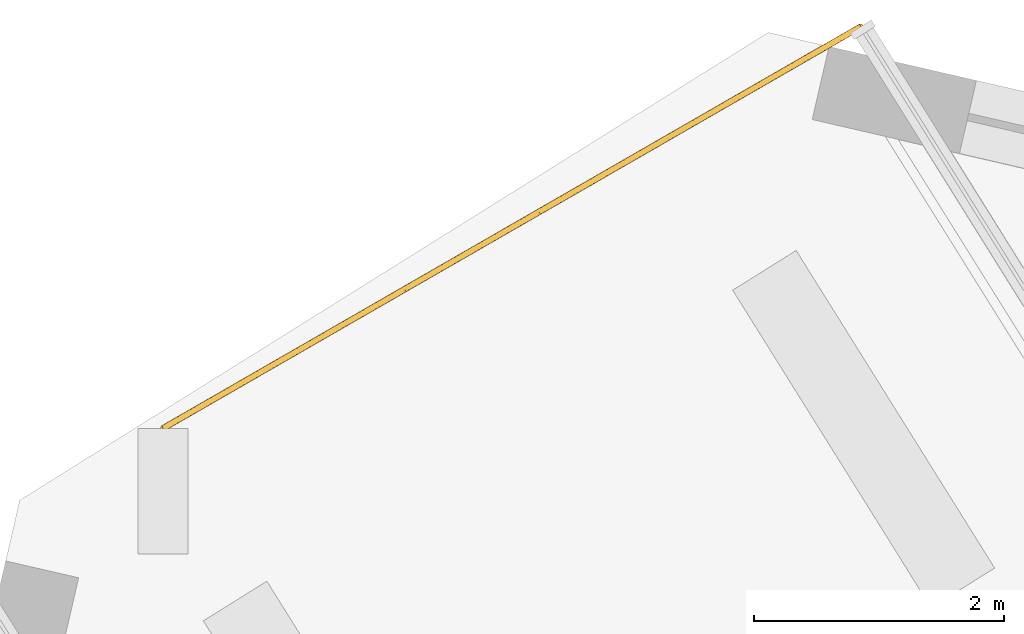
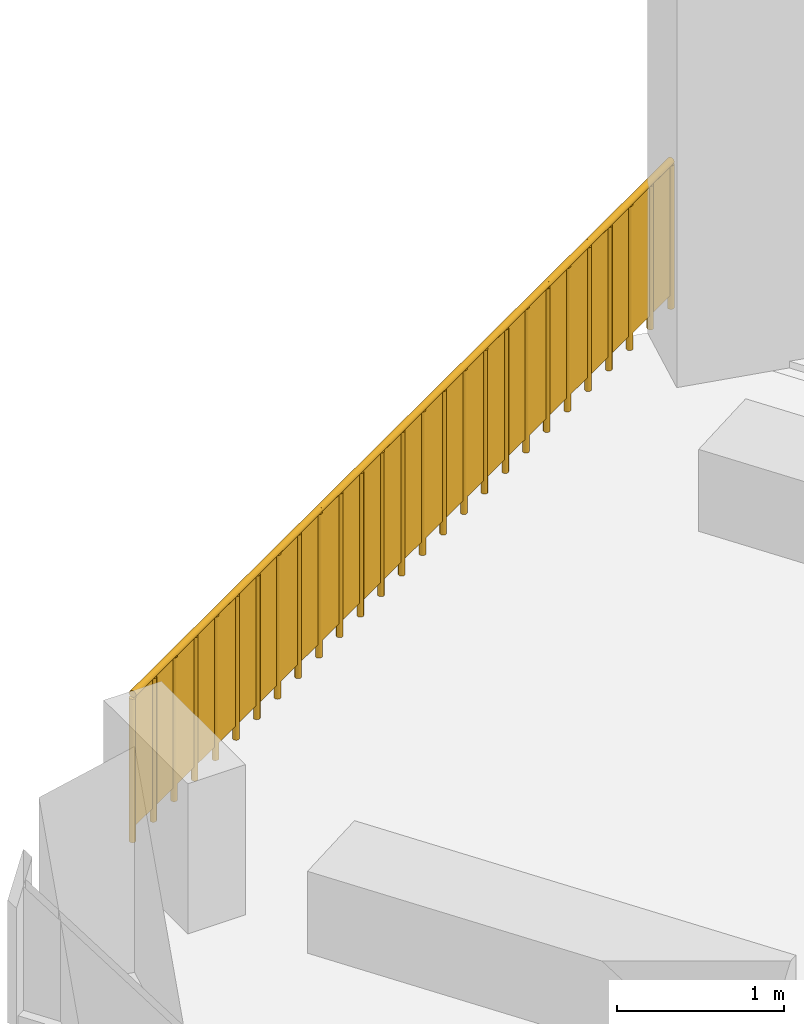
# One storey, part 13 of 14: 1 railing.
"""IFC4 building model written with IfcOpenShell, lengths in metres."""

from ifc_helpers import new_model, si_unit, direction, frame, origin, origin_2d, place, context, subcontext, project, spatial, rectangle, circle, extrude, material, type_object, element, save


model = new_model("IFC4")

# Units and contexts
model_context = context("Model", 3, precision=1e-05, world=origin(), true_north=direction((0.0, 1.0)))
body_context = subcontext(model_context, "Body", "Model", "MODEL_VIEW")
ifc_project = project(units=[si_unit("LENGTHUNIT", "METRE"), si_unit("AREAUNIT", "SQUARE_METRE"), si_unit("VOLUMEUNIT", "CUBIC_METRE"), si_unit("PLANEANGLEUNIT", "RADIAN"), si_unit("MASSUNIT", "GRAM", prefix="KILO")], contexts=[model_context])

# Site, building, storey
site_placement = place(None, origin())
site = spatial("IfcSite", under=ifc_project, at=site_placement, CompositionType="ELEMENT")
building_placement = place(site_placement, origin())
building = spatial("IfcBuilding", under=site, at=building_placement, Name="Dilmun Exchange Tower", CompositionType="ELEMENT")
storey_placement = place(building_placement, frame((0.0, 0.0, 336.5)))
storey = spatial("IfcBuildingStorey", under=building, at=storey_placement, Name="L80", CompositionType="ELEMENT", Elevation=336.5)

# Railing
ifc_material = material(Name="Stainless steel", Category="steel")
railing_type = type_object("IfcRailingType", Name="Terrace guard 1100 stainless steel", PredefinedType="GUARDRAIL", material=ifc_material)
railing_placement = place(storey_placement, frame((-13.946044921875, 34.2265625, 0.0)))
element("IfcRailing", 1, at=railing_placement, inside=storey, type_object=railing_type, Name="Terrace guard 1", PredefinedType="GUARDRAIL", context=body_context, shape_type="SweptSolid", body=[
    extrude(circle(Radius=0.02392578125, at=origin_2d()), frame((0.0, 0.0, 1.076171875), z_axis=(-0.866480498288, -0.499210923445, 0.0), x_axis=(0.499210923445, -0.866480498288, 0.0)), (0.0, 0.0, 1.0), 0.248046875),
    extrude(rectangle(XDim=0.011962890625, YDim=0.951904296875, at=origin_2d()), frame((0.0, 0.0, 0.576171875), z_axis=(-0.866480498288, -0.499210923445, 0.0), x_axis=(0.499210923445, -0.866480498288, 0.0)), (0.0, 0.0, 1.0), 0.248046875),
    extrude(circle(Radius=0.02392578125, at=origin_2d()), frame((-0.21484375, -0.123779296875, 1.076171875), z_axis=(-0.866725567477, -0.498785315222, 0.0), x_axis=(0.498785315222, -0.866725567477, 0.0)), (0.0, 0.0, 1.0), 0.248046875),
    extrude(rectangle(XDim=0.011962890625, YDim=0.951904296875, at=origin_2d()), frame((-0.21484375, -0.123779296875, 0.576171875), z_axis=(-0.866725567477, -0.498785315222, 0.0), x_axis=(0.498785315222, -0.866725567477, 0.0)), (0.0, 0.0, 1.0), 0.248046875),
    extrude(circle(Radius=0.02392578125, at=origin_2d()), frame((-0.429931640625, -0.24755859375, 1.076171875), z_axis=(-0.866480498288, -0.499210923445, 0.0), x_axis=(0.499210923445, -0.866480498288, 0.0)), (0.0, 0.0, 1.0), 0.248046875),
    extrude(rectangle(XDim=0.011962890625, YDim=0.951904296875, at=origin_2d()), frame((-0.429931640625, -0.24755859375, 0.576171875), z_axis=(-0.866480498288, -0.499210923445, 0.0), x_axis=(0.499210923445, -0.866480498288, 0.0)), (0.0, 0.0, 1.0), 0.248046875),
    extrude(circle(Radius=0.02392578125, at=origin_2d()), frame((-0.644775390625, -0.371337890625, 1.076171875), z_axis=(-0.866725567477, -0.498785315222, 0.0), x_axis=(0.498785315222, -0.866725567477, 0.0)), (0.0, 0.0, 1.0), 0.248046875),
    extrude(rectangle(XDim=0.011962890625, YDim=0.951904296875, at=origin_2d()), frame((-0.644775390625, -0.371337890625, 0.576171875), z_axis=(-0.866725567477, -0.498785315222, 0.0), x_axis=(0.498785315222, -0.866725567477, 0.0)), (0.0, 0.0, 1.0), 0.248046875),
    extrude(circle(Radius=0.02392578125, at=origin_2d()), frame((-0.85986328125, -0.4951171875, 1.076171875), z_axis=(-0.866906303058, -0.498471124258, 0.0), x_axis=(0.498471124258, -0.866906303058, 0.0)), (0.0, 0.0, 1.0), 0.247802734375),
    extrude(rectangle(XDim=0.011962890625, YDim=0.951904296875, at=origin_2d()), frame((-0.85986328125, -0.4951171875, 0.576171875), z_axis=(-0.866906303058, -0.498471124258, 0.0), x_axis=(0.498471124258, -0.866906303058, 0.0)), (0.0, 0.0, 1.0), 0.247802734375),
    extrude(circle(Radius=0.02392578125, at=origin_2d()), frame((-1.07470703125, -0.61865234375, 1.076171875), z_axis=(-0.866054481515, -0.499949632511, 0.0), x_axis=(0.499949632511, -0.866054481515, 0.0)), (0.0, 0.0, 1.0), 0.248046875),
    extrude(rectangle(XDim=0.011962890625, YDim=0.951904296875, at=origin_2d()), frame((-1.07470703125, -0.61865234375, 0.576171875), z_axis=(-0.866054481515, -0.499949632511, 0.0), x_axis=(0.499949632511, -0.866054481515, 0.0)), (0.0, 0.0, 1.0), 0.248046875),
    extrude(circle(Radius=0.02392578125, at=origin_2d()), frame((-1.28955078125, -0.74267578125, 1.076171875), z_axis=(-0.867150766199, -0.498045729508, 0.0), x_axis=(0.498045729508, -0.867150766199, 0.0)), (0.0, 0.0, 1.0), 0.248046875),
    extrude(rectangle(XDim=0.011962890625, YDim=0.951904296875, at=origin_2d()), frame((-1.28955078125, -0.74267578125, 0.576171875), z_axis=(-0.867150766199, -0.498045729508, 0.0), x_axis=(0.498045729508, -0.867150766199, 0.0)), (0.0, 0.0, 1.0), 0.248046875),
    extrude(circle(Radius=0.02392578125, at=origin_2d()), frame((-1.504638671875, -0.8662109375, 1.076171875), z_axis=(-0.866480498288, -0.499210923445, 0.0), x_axis=(0.499210923445, -0.866480498288, 0.0)), (0.0, 0.0, 1.0), 0.248046875),
    extrude(rectangle(XDim=0.011962890625, YDim=0.951904296875, at=origin_2d()), frame((-1.504638671875, -0.8662109375, 0.576171875), z_axis=(-0.866480498288, -0.499210923445, 0.0), x_axis=(0.499210923445, -0.866480498288, 0.0)), (0.0, 0.0, 1.0), 0.248046875),
    extrude(circle(Radius=0.02392578125, at=origin_2d()), frame((-1.719482421875, -0.989990234375, 1.076171875), z_axis=(-0.866725567477, -0.498785315222, 0.0), x_axis=(0.498785315222, -0.866725567477, 0.0)), (0.0, 0.0, 1.0), 0.248046875),
    extrude(rectangle(XDim=0.011962890625, YDim=0.951904296875, at=origin_2d()), frame((-1.719482421875, -0.989990234375, 0.576171875), z_axis=(-0.866725567477, -0.498785315222, 0.0), x_axis=(0.498785315222, -0.866725567477, 0.0)), (0.0, 0.0, 1.0), 0.248046875),
    extrude(circle(Radius=0.02392578125, at=origin_2d()), frame((-1.9345703125, -1.11376953125, 1.076171875), z_axis=(-0.866480498288, -0.499210923445, 0.0), x_axis=(0.499210923445, -0.866480498288, 0.0)), (0.0, 0.0, 1.0), 0.248046875),
    extrude(rectangle(XDim=0.011962890625, YDim=0.951904296875, at=origin_2d()), frame((-1.9345703125, -1.11376953125, 0.576171875), z_axis=(-0.866480498288, -0.499210923445, 0.0), x_axis=(0.499210923445, -0.866480498288, 0.0)), (0.0, 0.0, 1.0), 0.248046875),
    extrude(circle(Radius=0.02392578125, at=origin_2d()), frame((-2.1494140625, -1.237548828125, 1.076171875), z_axis=(-0.866480498288, -0.499210923445, 0.0), x_axis=(0.499210923445, -0.866480498288, 0.0)), (0.0, 0.0, 1.0), 0.248046875),
    extrude(rectangle(XDim=0.011962890625, YDim=0.951904296875, at=origin_2d()), frame((-2.1494140625, -1.237548828125, 0.576171875), z_axis=(-0.866480498288, -0.499210923445, 0.0), x_axis=(0.499210923445, -0.866480498288, 0.0)), (0.0, 0.0, 1.0), 0.248046875),
    extrude(circle(Radius=0.02392578125, at=origin_2d()), frame((-2.3642578125, -1.361328125, 1.076171875), z_axis=(-0.866725567477, -0.498785315222, 0.0), x_axis=(0.498785315222, -0.866725567477, 0.0)), (0.0, 0.0, 1.0), 0.248046875),
    extrude(rectangle(XDim=0.011962890625, YDim=0.951904296875, at=origin_2d()), frame((-2.3642578125, -1.361328125, 0.576171875), z_axis=(-0.866725567477, -0.498785315222, 0.0), x_axis=(0.498785315222, -0.866725567477, 0.0)), (0.0, 0.0, 1.0), 0.248046875),
    extrude(circle(Radius=0.02392578125, at=origin_2d()), frame((-2.579345703125, -1.485107421875, 1.076171875), z_axis=(-0.866906303058, -0.498471124258, 0.0), x_axis=(0.498471124258, -0.866906303058, 0.0)), (0.0, 0.0, 1.0), 0.247802734375),
    extrude(rectangle(XDim=0.011962890625, YDim=0.951904296875, at=origin_2d()), frame((-2.579345703125, -1.485107421875, 0.576171875), z_axis=(-0.866906303058, -0.498471124258, 0.0), x_axis=(0.498471124258, -0.866906303058, 0.0)), (0.0, 0.0, 1.0), 0.247802734375),
    extrude(circle(Radius=0.02392578125, at=origin_2d()), frame((-2.794189453125, -1.608642578125, 1.076171875), z_axis=(-0.866054481515, -0.499949632511, 0.0), x_axis=(0.499949632511, -0.866054481515, 0.0)), (0.0, 0.0, 1.0), 0.248046875),
    extrude(rectangle(XDim=0.011962890625, YDim=0.951904296875, at=origin_2d()), frame((-2.794189453125, -1.608642578125, 0.576171875), z_axis=(-0.866054481515, -0.499949632511, 0.0), x_axis=(0.499949632511, -0.866054481515, 0.0)), (0.0, 0.0, 1.0), 0.248046875),
    extrude(circle(Radius=0.02392578125, at=origin_2d()), frame((-3.009033203125, -1.732666015625, 1.076171875), z_axis=(-0.867150766199, -0.498045729508, 0.0), x_axis=(0.498045729508, -0.867150766199, 0.0)), (0.0, 0.0, 1.0), 0.248046875),
    extrude(rectangle(XDim=0.011962890625, YDim=0.951904296875, at=origin_2d()), frame((-3.009033203125, -1.732666015625, 0.576171875), z_axis=(-0.867150766199, -0.498045729508, 0.0), x_axis=(0.498045729508, -0.867150766199, 0.0)), (0.0, 0.0, 1.0), 0.248046875),
    extrude(circle(Radius=0.02392578125, at=origin_2d()), frame((-3.22412109375, -1.856201171875, 1.076171875), z_axis=(-0.866480498288, -0.499210923445, 0.0), x_axis=(0.499210923445, -0.866480498288, 0.0)), (0.0, 0.0, 1.0), 0.248046875),
    extrude(rectangle(XDim=0.011962890625, YDim=0.951904296875, at=origin_2d()), frame((-3.22412109375, -1.856201171875, 0.576171875), z_axis=(-0.866480498288, -0.499210923445, 0.0), x_axis=(0.499210923445, -0.866480498288, 0.0)), (0.0, 0.0, 1.0), 0.248046875),
    extrude(circle(Radius=0.02392578125, at=origin_2d()), frame((-3.43896484375, -1.97998046875, 1.076171875), z_axis=(-0.866725567477, -0.498785315222, 0.0), x_axis=(0.498785315222, -0.866725567477, 0.0)), (0.0, 0.0, 1.0), 0.248046875),
    extrude(rectangle(XDim=0.011962890625, YDim=0.951904296875, at=origin_2d()), frame((-3.43896484375, -1.97998046875, 0.576171875), z_axis=(-0.866725567477, -0.498785315222, 0.0), x_axis=(0.498785315222, -0.866725567477, 0.0)), (0.0, 0.0, 1.0), 0.248046875),
    extrude(circle(Radius=0.02392578125, at=origin_2d()), frame((-3.654052734375, -2.103759765625, 1.076171875), z_axis=(-0.866480498288, -0.499210923445, 0.0), x_axis=(0.499210923445, -0.866480498288, 0.0)), (0.0, 0.0, 1.0), 0.248046875),
    extrude(rectangle(XDim=0.011962890625, YDim=0.951904296875, at=origin_2d()), frame((-3.654052734375, -2.103759765625, 0.576171875), z_axis=(-0.866480498288, -0.499210923445, 0.0), x_axis=(0.499210923445, -0.866480498288, 0.0)), (0.0, 0.0, 1.0), 0.248046875),
    extrude(circle(Radius=0.02392578125, at=origin_2d()), frame((-3.868896484375, -2.2275390625, 1.076171875), z_axis=(-0.866480498288, -0.499210923445, 0.0), x_axis=(0.499210923445, -0.866480498288, 0.0)), (0.0, 0.0, 1.0), 0.248046875),
    extrude(rectangle(XDim=0.011962890625, YDim=0.951904296875, at=origin_2d()), frame((-3.868896484375, -2.2275390625, 0.576171875), z_axis=(-0.866480498288, -0.499210923445, 0.0), x_axis=(0.499210923445, -0.866480498288, 0.0)), (0.0, 0.0, 1.0), 0.248046875),
    extrude(circle(Radius=0.02392578125, at=origin_2d()), frame((-4.083740234375, -2.351318359375, 1.076171875), z_axis=(-0.867150766199, -0.498045729508, 0.0), x_axis=(0.498045729508, -0.867150766199, 0.0)), (0.0, 0.0, 1.0), 0.248046875),
    extrude(rectangle(XDim=0.011962890625, YDim=0.951904296875, at=origin_2d()), frame((-4.083740234375, -2.351318359375, 0.576171875), z_axis=(-0.867150766199, -0.498045729508, 0.0), x_axis=(0.498045729508, -0.867150766199, 0.0)), (0.0, 0.0, 1.0), 0.248046875),
    extrude(circle(Radius=0.02392578125, at=origin_2d()), frame((-4.298828125, -2.474853515625, 1.076171875), z_axis=(-0.866054481515, -0.499949632511, 0.0), x_axis=(0.499949632511, -0.866054481515, 0.0)), (0.0, 0.0, 1.0), 0.248046875),
    extrude(rectangle(XDim=0.011962890625, YDim=0.951904296875, at=origin_2d()), frame((-4.298828125, -2.474853515625, 0.576171875), z_axis=(-0.866054481515, -0.499949632511, 0.0), x_axis=(0.499949632511, -0.866054481515, 0.0)), (0.0, 0.0, 1.0), 0.248046875),
    extrude(circle(Radius=0.02392578125, at=origin_2d()), frame((-4.513671875, -2.598876953125, 1.076171875), z_axis=(-0.867150766199, -0.498045729508, 0.0), x_axis=(0.498045729508, -0.867150766199, 0.0)), (0.0, 0.0, 1.0), 0.248046875),
    extrude(rectangle(XDim=0.011962890625, YDim=0.951904296875, at=origin_2d()), frame((-4.513671875, -2.598876953125, 0.576171875), z_axis=(-0.867150766199, -0.498045729508, 0.0), x_axis=(0.498045729508, -0.867150766199, 0.0)), (0.0, 0.0, 1.0), 0.248046875),
    extrude(circle(Radius=0.02392578125, at=origin_2d()), frame((-4.728759765625, -2.722412109375, 1.076171875), z_axis=(-0.866480498288, -0.499210923445, 0.0), x_axis=(0.499210923445, -0.866480498288, 0.0)), (0.0, 0.0, 1.0), 0.248046875),
    extrude(rectangle(XDim=0.011962890625, YDim=0.951904296875, at=origin_2d()), frame((-4.728759765625, -2.722412109375, 0.576171875), z_axis=(-0.866480498288, -0.499210923445, 0.0), x_axis=(0.499210923445, -0.866480498288, 0.0)), (0.0, 0.0, 1.0), 0.248046875),
    extrude(circle(Radius=0.02392578125, at=origin_2d()), frame((-4.943603515625, -2.84619140625, 1.076171875), z_axis=(-0.866480498288, -0.499210923445, 0.0), x_axis=(0.499210923445, -0.866480498288, 0.0)), (0.0, 0.0, 1.0), 0.248046875),
    extrude(rectangle(XDim=0.011962890625, YDim=0.951904296875, at=origin_2d()), frame((-4.943603515625, -2.84619140625, 0.576171875), z_axis=(-0.866480498288, -0.499210923445, 0.0), x_axis=(0.499210923445, -0.866480498288, 0.0)), (0.0, 0.0, 1.0), 0.248046875),
    extrude(circle(Radius=0.02392578125, at=origin_2d()), frame((-5.158447265625, -2.969970703125, 1.076171875), z_axis=(-0.866725567477, -0.498785315222, 0.0), x_axis=(0.498785315222, -0.866725567477, 0.0)), (0.0, 0.0, 1.0), 0.248046875),
    extrude(rectangle(XDim=0.011962890625, YDim=0.951904296875, at=origin_2d()), frame((-5.158447265625, -2.969970703125, 0.576171875), z_axis=(-0.866725567477, -0.498785315222, 0.0), x_axis=(0.498785315222, -0.866725567477, 0.0)), (0.0, 0.0, 1.0), 0.248046875),
    extrude(circle(Radius=0.02392578125, at=origin_2d()), frame((-5.37353515625, -3.09375, 1.076171875), z_axis=(-0.866480498288, -0.499210923445, 0.0), x_axis=(0.499210923445, -0.866480498288, 0.0)), (0.0, 0.0, 1.0), 0.248046875),
    extrude(rectangle(XDim=0.011962890625, YDim=0.951904296875, at=origin_2d()), frame((-5.37353515625, -3.09375, 0.576171875), z_axis=(-0.866480498288, -0.499210923445, 0.0), x_axis=(0.499210923445, -0.866480498288, 0.0)), (0.0, 0.0, 1.0), 0.248046875),
    extrude(circle(Radius=0.02099609375, at=origin_2d()), origin(), (0.0, 0.0, 1.0), 1.052001953125),
    extrude(circle(Radius=0.02099609375, at=origin_2d()), frame((-0.21484375, -0.123779296875, 0.0)), (0.0, 0.0, 1.0), 1.052001953125),
    extrude(circle(Radius=0.02099609375, at=origin_2d()), frame((-0.429931640625, -0.24755859375, 0.0)), (0.0, 0.0, 1.0), 1.052001953125),
    extrude(circle(Radius=0.02099609375, at=origin_2d()), frame((-0.644775390625, -0.371337890625, 0.0)), (0.0, 0.0, 1.0), 1.052001953125),
    extrude(circle(Radius=0.02099609375, at=origin_2d()), frame((-0.85986328125, -0.4951171875, 0.0)), (0.0, 0.0, 1.0), 1.052001953125),
    extrude(circle(Radius=0.02099609375, at=origin_2d()), frame((-1.07470703125, -0.61865234375, 0.0)), (0.0, 0.0, 1.0), 1.052001953125),
    extrude(circle(Radius=0.02099609375, at=origin_2d()), frame((-1.28955078125, -0.74267578125, 0.0)), (0.0, 0.0, 1.0), 1.052001953125),
    extrude(circle(Radius=0.02099609375, at=origin_2d()), frame((-1.504638671875, -0.8662109375, 0.0)), (0.0, 0.0, 1.0), 1.052001953125),
    extrude(circle(Radius=0.02099609375, at=origin_2d()), frame((-1.719482421875, -0.989990234375, 0.0)), (0.0, 0.0, 1.0), 1.052001953125),
    extrude(circle(Radius=0.02099609375, at=origin_2d()), frame((-1.9345703125, -1.11376953125, 0.0)), (0.0, 0.0, 1.0), 1.052001953125),
    extrude(circle(Radius=0.02099609375, at=origin_2d()), frame((-2.1494140625, -1.237548828125, 0.0)), (0.0, 0.0, 1.0), 1.052001953125),
    extrude(circle(Radius=0.02099609375, at=origin_2d()), frame((-2.3642578125, -1.361328125, 0.0)), (0.0, 0.0, 1.0), 1.052001953125),
    extrude(circle(Radius=0.02099609375, at=origin_2d()), frame((-2.579345703125, -1.485107421875, 0.0)), (0.0, 0.0, 1.0), 1.052001953125),
    extrude(circle(Radius=0.02099609375, at=origin_2d()), frame((-2.794189453125, -1.608642578125, 0.0)), (0.0, 0.0, 1.0), 1.052001953125),
    extrude(circle(Radius=0.02099609375, at=origin_2d()), frame((-3.009033203125, -1.732666015625, 0.0)), (0.0, 0.0, 1.0), 1.052001953125),
    extrude(circle(Radius=0.02099609375, at=origin_2d()), frame((-3.22412109375, -1.856201171875, 0.0)), (0.0, 0.0, 1.0), 1.052001953125),
    extrude(circle(Radius=0.02099609375, at=origin_2d()), frame((-3.43896484375, -1.97998046875, 0.0)), (0.0, 0.0, 1.0), 1.052001953125),
    extrude(circle(Radius=0.02099609375, at=origin_2d()), frame((-3.654052734375, -2.103759765625, 0.0)), (0.0, 0.0, 1.0), 1.052001953125),
    extrude(circle(Radius=0.02099609375, at=origin_2d()), frame((-3.868896484375, -2.2275390625, 0.0)), (0.0, 0.0, 1.0), 1.052001953125),
    extrude(circle(Radius=0.02099609375, at=origin_2d()), frame((-4.083740234375, -2.351318359375, 0.0)), (0.0, 0.0, 1.0), 1.052001953125),
    extrude(circle(Radius=0.02099609375, at=origin_2d()), frame((-4.298828125, -2.474853515625, 0.0)), (0.0, 0.0, 1.0), 1.052001953125),
    extrude(circle(Radius=0.02099609375, at=origin_2d()), frame((-4.513671875, -2.598876953125, 0.0)), (0.0, 0.0, 1.0), 1.052001953125),
    extrude(circle(Radius=0.02099609375, at=origin_2d()), frame((-4.728759765625, -2.722412109375, 0.0)), (0.0, 0.0, 1.0), 1.052001953125),
    extrude(circle(Radius=0.02099609375, at=origin_2d()), frame((-4.943603515625, -2.84619140625, 0.0)), (0.0, 0.0, 1.0), 1.052001953125),
    extrude(circle(Radius=0.02099609375, at=origin_2d()), frame((-5.158447265625, -2.969970703125, 0.0)), (0.0, 0.0, 1.0), 1.052001953125),
    extrude(circle(Radius=0.02099609375, at=origin_2d()), frame((-5.37353515625, -3.09375, 0.0)), (0.0, 0.0, 1.0), 1.052001953125),
    extrude(circle(Radius=0.02099609375, at=origin_2d()), frame((-5.58837890625, -3.217529296875, 0.0)), (0.0, 0.0, 1.0), 1.052001953125),
])

save(model, "model.ifc")
